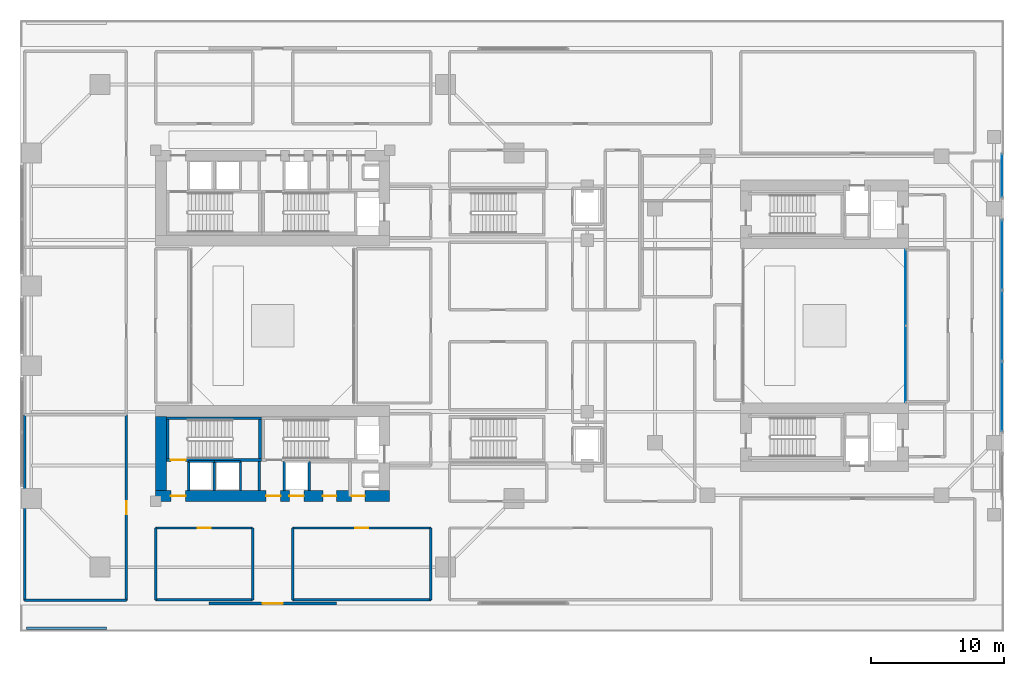
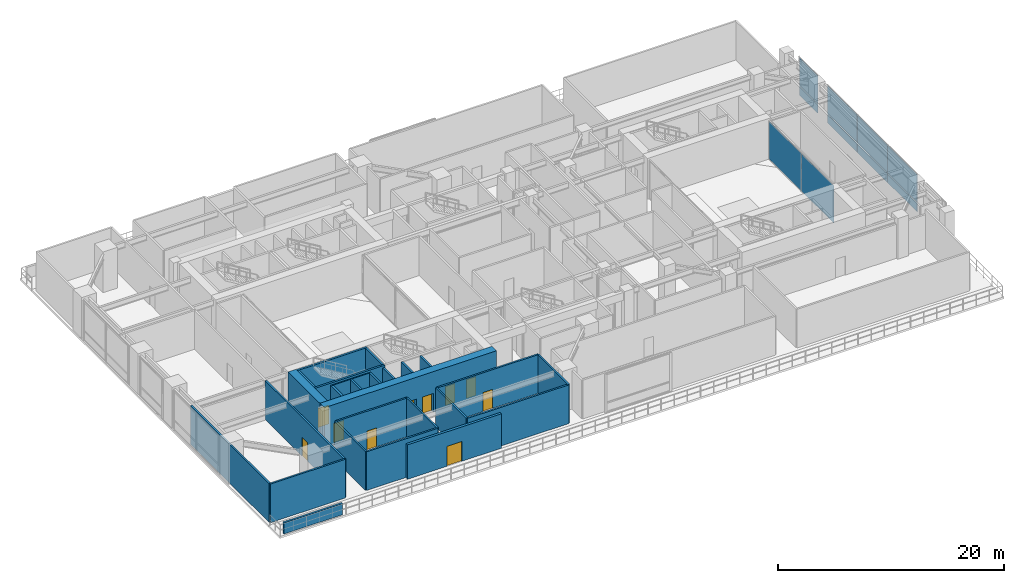
# One storey, part 10 of 19: 27 walls, 10 doors, 10 plates, 10 openings, 3 elements without a shape of their own.
"""IFC4 building model written with IfcOpenShell, lengths in metres."""

import ifcopenshell
import ifcopenshell.guid

model = None  # the IFC model being written
_history = None  # IfcOwnerHistory: only IFC2X3 demands one
_inside = {}  # id of a spatial element -> (the spatial element, [elements in it])
_under = {}  # id of a project, library or spatial element -> (it, [spatial elements below it])
_declared = {}  # id of a project -> (the project, [libraries it declares])
_typed = {}  # id of a type object -> (the type object, [elements of that type])
_made_of = {}  # id of a material, layer set ... -> (it, [elements and type objects made of it])


def new_model(schema):
    """Start an empty IFC model of exactly this schema.

    Asked for "IFC4X3", IfcOpenShell would pick the latest addendum, in which some entities
    have other attributes; the version numbers below select the first issue.
    IFC2X3 requires an IfcOwnerHistory on every rooted entity: one is made here for all.
    """
    global model, _history
    if schema == "IFC4X3":
        model = ifcopenshell.file(schema_version=(4, 3, 0, 0))
    else:
        model = ifcopenshell.file(schema=schema)
    _inside.clear()
    _under.clear()
    _declared.clear()
    _typed.clear()
    _made_of.clear()
    _history = None
    if model.schema == "IFC2X3":
        org = make("IfcOrganization", Name="unknown")
        user = make(
            "IfcPersonAndOrganization",
            ThePerson=make("IfcPerson", FamilyName="unknown"),
            TheOrganization=org,
        )
        app = make(
            "IfcApplication",
            ApplicationDeveloper=org,
            Version="unknown",
            ApplicationFullName="unknown",
            ApplicationIdentifier="unknown",
        )
        _history = make(
            "IfcOwnerHistory",
            OwningUser=user,
            OwningApplication=app,
            ChangeAction="ADDED",
            CreationDate=0,
        )
    return model


def make(cls, **values):
    """One entity of the class cls with the attributes given. An attribute that is None is left unset."""
    return model.create_entity(
        cls, **{name: value for name, value in values.items() if value is not None}
    )


def rooted(cls, **values):
    """An entity with a GlobalId (a new one), such as an element, a storey or a relation."""
    return make(cls, GlobalId=ifcopenshell.guid.new(), OwnerHistory=_history, **values)


def si_unit(unit_type, name, prefix=None):
    """IfcSIUnit, for example si_unit("LENGTHUNIT", "METRE", prefix="MILLI")."""
    return make("IfcSIUnit", UnitType=unit_type, Prefix=prefix, Name=name)


def assignment(units):
    """IfcUnitAssignment: the units of a project."""
    return None if units is None else make("IfcUnitAssignment", Units=units)


def point(xyz):
    """IfcCartesianPoint."""
    return None if xyz is None else make("IfcCartesianPoint", Coordinates=xyz)


def direction(xyz):
    """IfcDirection."""
    return None if xyz is None else make("IfcDirection", DirectionRatios=xyz)


def frame(location, z_axis=None, x_axis=None):
    """IfcAxis2Placement3D, a coordinate frame: its origin and axes. An axis left out is left unset."""
    return make(
        "IfcAxis2Placement3D",
        Location=point(location),
        Axis=direction(z_axis),
        RefDirection=direction(x_axis),
    )


def frame_2d(location, x_axis=None):
    """IfcAxis2Placement2D, a coordinate frame in the plane: its origin and x axis."""
    return make(
        "IfcAxis2Placement2D", Location=point(location), RefDirection=direction(x_axis)
    )


def origin():
    """The frame at (0, 0, 0) with its axes left unset."""
    return frame((0.0, 0.0, 0.0))


def origin_2d():
    """The frame at (0, 0) in the plane with its x axis left unset."""
    return frame_2d((0.0, 0.0))


def place(relative_to, where):
    """IfcLocalPlacement: puts the frame where relative to a parent placement (None: the world)."""
    return make(
        "IfcLocalPlacement", PlacementRelTo=relative_to, RelativePlacement=where
    )


def context(
    kind, dimensions, precision=None, world=None, true_north=None, identifier=None
):
    """IfcGeometricRepresentationContext, for example the 3D "Model" context."""
    return make(
        "IfcGeometricRepresentationContext",
        ContextIdentifier=identifier,
        ContextType=kind,
        CoordinateSpaceDimension=dimensions,
        Precision=precision,
        WorldCoordinateSystem=world,
        TrueNorth=true_north,
    )


def subcontext(parent, identifier, kind, view, scale=None):
    """IfcGeometricRepresentationSubContext, for example "Body" below "Model"."""
    return make(
        "IfcGeometricRepresentationSubContext",
        ContextIdentifier=identifier,
        ContextType=kind,
        ParentContext=parent,
        TargetScale=scale,
        TargetView=view,
    )


def project(units=None, contexts=None):
    """IfcProject with its units and contexts."""
    return rooted(
        "IfcProject",
        Name="project",
        RepresentationContexts=contexts,
        UnitsInContext=assignment(units),
    )


def spatial(cls, under=None, at=None, **own):
    """A site, building, storey or space (cls), placed at a placement, below another one or the project."""
    s = rooted(cls, ObjectPlacement=at, **own)
    if under is not None:
        _under.setdefault(under.id(), (under, []))[1].append(s)
    return s


def profile(cls, at=None, kind="AREA", **sizes):
    """A parametric profile (cls). Its sizes go by their IFC names, for example OverallWidth=200.0."""
    return make(cls, ProfileType=kind, Position=at, **sizes)


def rectangle(**sizes):
    """IfcRectangleProfileDef."""
    return profile("IfcRectangleProfileDef", **sizes)


def extrude(swept, where, along, depth):
    """IfcExtrudedAreaSolid: the profile swept, set in the frame where, extruded along a direction by depth."""
    return make(
        "IfcExtrudedAreaSolid",
        SweptArea=swept,
        Position=where,
        ExtrudedDirection=direction(along),
        Depth=depth,
    )


def shape(context_of_items, identifier, shape_type, items):
    """IfcShapeRepresentation: the items that make up one representation, for example the "Body"."""
    return make(
        "IfcShapeRepresentation",
        ContextOfItems=context_of_items,
        RepresentationIdentifier=identifier,
        RepresentationType=shape_type,
        Items=items,
    )


def source(mapping_origin, context_of_items, identifier, shape_type, items):
    """IfcRepresentationMap: a shape defined once, which mapped items show again and again."""
    return make(
        "IfcRepresentationMap",
        MappingOrigin=mapping_origin,
        MappedRepresentation=shape(context_of_items, identifier, shape_type, items),
    )


def transform(
    local_origin,
    x_axis=None,
    y_axis=None,
    z_axis=None,
    scale=None,
    scale2=None,
    scale3=None,
    uniform=True,
):
    """IfcCartesianTransformationOperator3D, or its non-uniform kind. x_axis, y_axis, z_axis: its Axis1, 2, 3."""
    if uniform:
        return make(
            "IfcCartesianTransformationOperator3D",
            Axis1=direction(x_axis),
            Axis2=direction(y_axis),
            LocalOrigin=point(local_origin),
            Scale=scale,
            Axis3=direction(z_axis),
        )
    return make(
        "IfcCartesianTransformationOperator3DnonUniform",
        Axis1=direction(x_axis),
        Axis2=direction(y_axis),
        LocalOrigin=point(local_origin),
        Scale=scale,
        Axis3=direction(z_axis),
        Scale2=scale2,
        Scale3=scale3,
    )


def mapped(mapping_source, mapping_target):
    """IfcMappedItem: shows the shape of a source again, moved by a transform."""
    return make(
        "IfcMappedItem", MappingSource=mapping_source, MappingTarget=mapping_target
    )


def material(Name=None, Category=None):
    """IfcMaterial."""
    return make("IfcMaterial", Name=Name, Category=Category)


def layer(
    of_material, thickness, ventilated=None, Name=None, Category=None, Priority=None
):
    """IfcMaterialLayer: one layer of a wall or slab, of a material (None: an air gap)."""
    return make(
        "IfcMaterialLayer",
        Material=of_material,
        LayerThickness=thickness,
        IsVentilated=ventilated,
        Name=Name,
        Category=Category,
        Priority=Priority,
    )


def layer_set(layers, Name=None):
    """IfcMaterialLayerSet."""
    return make("IfcMaterialLayerSet", MaterialLayers=layers, LayerSetName=Name)


def made_of(thing, what):
    """Note that an element or type object is made of a material, layer set ...; save() writes the relation."""
    if what is not None:
        _made_of.setdefault(what.id(), (what, []))[1].append(thing)
    return thing


def type_object(cls, material=None, **own):
    """A type object (cls), such as IfcWallType, which elements share."""
    return made_of(rooted(cls, **own), material)


def element(
    cls,
    number,
    at=None,
    inside=None,
    cuts=None,
    type_object=None,
    material=None,
    context=None,
    identifier="Body",
    shape_type=None,
    held_by="IfcProductDefinitionShape",
    body=None,
    shapes=None,
    **own,
):
    """One element of the class cls, such as IfcWall. Its Tag is "e" and its number.

    at: its placement. inside: the storey or other place that contains it. cuts: it is an
    opening in that element (IfcRelVoidsElement). A single representation is given by context,
    identifier, shape_type and body (its items); several are given by shapes. held_by: the class
    of the entity that holds the representations. save() writes the other relations.
    """
    e = rooted(cls, Tag="e%d" % number, ObjectPlacement=at, **own)
    if body is not None:
        shapes = [shape(context, identifier, shape_type, body)]
    if shapes is not None:
        e.Representation = make(held_by, Representations=shapes)
    if inside is not None:
        _inside.setdefault(inside.id(), (inside, []))[1].append(e)
    if cuts is not None:
        rooted(
            "IfcRelVoidsElement", RelatingBuildingElement=cuts, RelatedOpeningElement=e
        )
    if type_object is not None:
        _typed.setdefault(type_object.id(), (type_object, []))[1].append(e)
    return made_of(e, material)


def fill(opening, filler):
    """IfcRelFillsElement: the door or window that sits in an opening."""
    return rooted(
        "IfcRelFillsElement",
        RelatingOpeningElement=opening,
        RelatedBuildingElement=filler,
    )


def aggregate(whole, parts):
    """IfcRelAggregates: a whole, such as a stair, and the parts it consists of."""
    return rooted("IfcRelAggregates", RelatingObject=whole, RelatedObjects=parts)


def save(model, path):
    """Write the relations noted so far, then the file.

    IfcRelAggregates (storeys below a building ...), IfcRelContainedInSpatialStructure (elements
    in a storey), IfcRelDefinesByType, IfcRelAssociatesMaterial and IfcRelDeclares: one each for
    every whole, place, type object, material and project.
    """
    for whole, parts in _under.values():
        aggregate(whole, parts)
    for where, things in _inside.values():
        rooted(
            "IfcRelContainedInSpatialStructure",
            RelatedElements=things,
            RelatingStructure=where,
        )
    for kind, things in _typed.values():
        rooted("IfcRelDefinesByType", RelatedObjects=things, RelatingType=kind)
    for what, things in _made_of.values():
        rooted("IfcRelAssociatesMaterial", RelatedObjects=things, RelatingMaterial=what)
    for by, libraries in _declared.values():
        rooted("IfcRelDeclares", RelatingContext=by, RelatedDefinitions=libraries)
    model.write(path)


model = new_model("IFC4")

# Units and contexts
model_context = context("Model", 3, precision=1e-05, world=origin(), true_north=direction((0.0, 1.0)))
body_context = subcontext(model_context, "Body", "Model", "MODEL_VIEW")
ifc_project = project(units=[si_unit("LENGTHUNIT", "METRE"), si_unit("AREAUNIT", "SQUARE_METRE"), si_unit("VOLUMEUNIT", "CUBIC_METRE"), si_unit("PLANEANGLEUNIT", "RADIAN"), si_unit("MASSUNIT", "GRAM", prefix="KILO"), si_unit("THERMODYNAMICTEMPERATUREUNIT", "KELVIN"), si_unit("POWERUNIT", "WATT")], contexts=[model_context])

# Site, building, storey
site_placement = place(None, origin())
site = spatial("IfcSite", under=ifc_project, at=site_placement, CompositionType="ELEMENT")
building_placement = place(site_placement, origin())
building = spatial("IfcBuilding", under=site, at=building_placement, Name="Qiaomeng Ring Towers", CompositionType="ELEMENT")
storey_placement = place(building_placement, frame((0.0, 0.0, 5.0)))
storey = spatial("IfcBuildingStorey", under=building, at=storey_placement, Name="L01", CompositionType="ELEMENT", Elevation=5.0)

# Curtain wall, plates
ifc_material_1 = material(Name="Fluorocarbon dark-grey aluminium", Category="aluminium")
ifc_layer_1 = layer(ifc_material_1, 0.179931640625, Name="Fluorocarbon dark-grey aluminium")
ifc_layer_set_1 = layer_set([ifc_layer_1], Name="Fluorocarbon dark-grey aluminium")
curtain_wall_type_1 = type_object("IfcCurtainWallType", Name="ARC-CW-1", PredefinedType="NOTDEFINED", material=ifc_layer_set_1)
curtain_wall_1_placement = place(storey_placement, origin())
curtain_wall_1 = element("IfcCurtainWall", 1, at=curtain_wall_1_placement, inside=storey, type_object=curtain_wall_type_1, Name="L01 Curtain Wall CW1", PredefinedType="NOTDEFINED")
ifc_material_2 = material(Name="Low-E pale-green laminated safety glass", Category="glass")
ifc_layer_2 = layer(ifc_material_2, 0.031982421875, Name="Low-E pale-green laminated safety glass")
ifc_layer_set_2 = layer_set([ifc_layer_2], Name="Low-E pale-green laminated safety glass")
plate_type_1 = type_object("IfcPlateType", Name="ARC-CWP-GREEN", PredefinedType="CURTAIN_PANEL", material=ifc_layer_set_2)
shared_shape_1 = source(origin(), body_context, "Body", "SweptSolid", [
    extrude(rectangle(XDim=5.219970703125, YDim=0.031982421875, at=origin_2d()), origin(), (0.0, 0.0, 1.0), 0.945068359375),
])
plate_1_placement = place(storey_placement, frame((73.85009765625, 17.679931640625, 0.06982421875), z_axis=(0.0, 0.0, 1.0), x_axis=(0.0, 1.0, 0.0)))
plate_1 = element("IfcPlate", 2, at=plate_1_placement, type_object=plate_type_1, Name="CW1 panel 1.1", PredefinedType="CURTAIN_PANEL", context=body_context, shape_type="MappedRepresentation", body=[
    mapped(shared_shape_1, transform((0.0, 0.0, 0.0), x_axis=(1.0, 0.0, 0.0), y_axis=(0.0, 1.0, 0.0), z_axis=(0.0, 0.0, 1.0), scale=1.0)),
])
plate_2_placement = place(storey_placement, frame((73.85009765625, 28.320068359375, 0.06982421875), z_axis=(0.0, 0.0, 1.0), x_axis=(0.0, 1.0, 0.0)))
plate_2 = element("IfcPlate", 3, at=plate_2_placement, type_object=plate_type_1, Name="CW1 panel 3.1", PredefinedType="CURTAIN_PANEL", context=body_context, shape_type="MappedRepresentation", body=[
    mapped(shared_shape_1, transform((0.0, 0.0, 0.0), x_axis=(1.0, 0.0, 0.0), y_axis=(0.0, 1.0, 0.0), z_axis=(0.0, 0.0, 1.0), scale=1.0)),
])
shared_shape_2 = source(origin(), body_context, "Body", "SweptSolid", [
    extrude(rectangle(XDim=5.260009765625, YDim=0.031982421875, at=origin_2d()), origin(), (0.0, 0.0, 1.0), 0.945068359375),
])
plate_3_placement = place(storey_placement, frame((73.85009765625, 23.0, 0.06982421875), z_axis=(0.0, 0.0, 1.0), x_axis=(0.0, 1.0, 0.0)))
plate_3 = element("IfcPlate", 4, at=plate_3_placement, type_object=plate_type_1, Name="CW1 panel 2.1", PredefinedType="CURTAIN_PANEL", context=body_context, shape_type="MappedRepresentation", body=[
    mapped(shared_shape_2, transform((0.0, 0.0, 0.0), x_axis=(1.0, 0.0, 0.0), y_axis=(0.0, 1.0, 0.0), z_axis=(0.0, 0.0, 1.0), scale=1.0)),
])

curtain_wall_2_placement = place(storey_placement, origin())
curtain_wall_2 = element("IfcCurtainWall", 5, at=curtain_wall_2_placement, inside=storey, type_object=curtain_wall_type_1, Name="L01 Curtain Wall CW1", PredefinedType="NOTDEFINED")
shared_shape_3 = source(origin(), body_context, "Body", "SweptSolid", [
    extrude(rectangle(XDim=3.25, YDim=0.031982421875, at=origin_2d()), origin(), (0.0, 0.0, 1.0), 0.945068359375),
])
plate_4_placement = place(storey_placement, frame((73.85009765625, 34.294921875, 0.06982421875), z_axis=(0.0, 0.0, 1.0), x_axis=(0.0, 1.0, 0.0)))
plate_4 = element("IfcPlate", 6, at=plate_4_placement, type_object=plate_type_1, Name="CW1 panel 1.1", PredefinedType="CURTAIN_PANEL", context=body_context, shape_type="MappedRepresentation", body=[
    mapped(shared_shape_3, transform((0.0, 0.0, 0.0), x_axis=(1.0, 0.0, 0.0), y_axis=(0.0, 1.0, 0.0), z_axis=(0.0, 0.0, 1.0), scale=1.0)),
])
shared_shape_4 = source(origin(), body_context, "Body", "SweptSolid", [
    extrude(rectangle(XDim=3.25, YDim=0.031982421875, at=origin_2d()), origin(), (0.0, 0.0, 1.0), 3.02490234375),
])
plate_5_placement = place(storey_placement, frame((73.85009765625, 34.294921875, 1.0849609375), z_axis=(0.0, 0.0, 1.0), x_axis=(0.0, 1.0, 0.0)))
plate_5 = element("IfcPlate", 7, at=plate_5_placement, type_object=plate_type_1, Name="CW1 panel 1.2", PredefinedType="CURTAIN_PANEL", context=body_context, shape_type="MappedRepresentation", body=[
    mapped(shared_shape_4, transform((0.0, 0.0, 0.0), x_axis=(1.0, 0.0, 0.0), y_axis=(0.0, 1.0, 0.0), z_axis=(0.0, 0.0, 1.0), scale=1.0)),
])
aggregate(curtain_wall_2, [plate_4, plate_5])

# Plate
shared_shape_5 = source(origin(), body_context, "Body", "SweptSolid", [
    extrude(rectangle(XDim=5.219970703125, YDim=0.031982421875, at=origin_2d()), origin(), (0.0, 0.0, 1.0), 3.02490234375),
])
plate_6_placement = place(storey_placement, frame((73.85009765625, 17.679931640625, 1.0849609375), z_axis=(0.0, 0.0, 1.0), x_axis=(0.0, 1.0, 0.0)))
plate_6 = element("IfcPlate", 8, at=plate_6_placement, type_object=plate_type_1, Name="CW1 panel 1.2", PredefinedType="CURTAIN_PANEL", context=body_context, shape_type="MappedRepresentation", body=[
    mapped(shared_shape_5, transform((0.0, 0.0, 0.0), x_axis=(1.0, 0.0, 0.0), y_axis=(0.0, 1.0, 0.0), z_axis=(0.0, 0.0, 1.0), scale=1.0)),
])

plate_7_placement = place(storey_placement, frame((73.85009765625, 28.320068359375, 1.0849609375), z_axis=(0.0, 0.0, 1.0), x_axis=(0.0, 1.0, 0.0)))
plate_7 = element("IfcPlate", 9, at=plate_7_placement, type_object=plate_type_1, Name="CW1 panel 3.2", PredefinedType="CURTAIN_PANEL", context=body_context, shape_type="MappedRepresentation", body=[
    mapped(shared_shape_5, transform((0.0, 0.0, 0.0), x_axis=(1.0, 0.0, 0.0), y_axis=(0.0, 1.0, 0.0), z_axis=(0.0, 0.0, 1.0), scale=1.0)),
])

shared_shape_6 = source(origin(), body_context, "Body", "SweptSolid", [
    extrude(rectangle(XDim=5.260009765625, YDim=0.031982421875, at=origin_2d()), origin(), (0.0, 0.0, 1.0), 3.02490234375),
])
plate_8_placement = place(storey_placement, frame((73.85009765625, 23.0, 1.0849609375), z_axis=(0.0, 0.0, 1.0), x_axis=(0.0, 1.0, 0.0)))
plate_8 = element("IfcPlate", 10, at=plate_8_placement, type_object=plate_type_1, Name="CW1 panel 2.2", PredefinedType="CURTAIN_PANEL", context=body_context, shape_type="MappedRepresentation", body=[
    mapped(shared_shape_6, transform((0.0, 0.0, 0.0), x_axis=(1.0, 0.0, 0.0), y_axis=(0.0, 1.0, 0.0), z_axis=(0.0, 0.0, 1.0), scale=1.0)),
])

aggregate(curtain_wall_1, [plate_1, plate_6, plate_3, plate_8, plate_2, plate_7])

# Curtain wall, plates
ifc_layer_3 = layer(ifc_material_1, 0.139892578125, Name="Fluorocarbon dark-grey aluminium")
ifc_layer_set_3 = layer_set([ifc_layer_3], Name="Fluorocarbon dark-grey aluminium")
curtain_wall_type_2 = type_object("IfcCurtainWallType", Name="ARC-CW-4", PredefinedType="NOTDEFINED", material=ifc_layer_set_3)
curtain_wall_3_placement = place(storey_placement, origin())
curtain_wall_3 = element("IfcCurtainWall", 11, at=curtain_wall_3_placement, inside=storey, type_object=curtain_wall_type_2, Name="L01 Curtain Wall CW4", PredefinedType="NOTDEFINED")
ifc_material_3 = material(Name="Low-E dark-grey laminated double glazing", Category="glass")
ifc_layer_4 = layer(ifc_material_3, 0.028076171875, Name="Low-E dark-grey laminated double glazing")
ifc_layer_set_4 = layer_set([ifc_layer_4], Name="Low-E dark-grey laminated double glazing")
plate_type_2 = type_object("IfcPlateType", Name="ARC-CWP-DARK", PredefinedType="CURTAIN_PANEL", material=ifc_layer_set_4)
shared_shape_7 = source(origin(), body_context, "Body", "SweptSolid", [
    extrude(rectangle(XDim=5.702392578125, YDim=0.028076171875, at=origin_2d()), origin(), (0.0, 0.0, 1.0), 4.050048828125),
])
plate_9_placement = place(storey_placement, frame((66.60009765625, 20.1162109375, 0.06494140625), z_axis=(0.0, 0.0, 1.0), x_axis=(0.0, 1.0, 0.0)))
plate_9 = element("IfcPlate", 12, at=plate_9_placement, type_object=plate_type_2, Name="CW4 panel 1.1", PredefinedType="CURTAIN_PANEL", context=body_context, shape_type="MappedRepresentation", body=[
    mapped(shared_shape_7, transform((0.0, 0.0, 0.0), x_axis=(1.0, 0.0, 0.0), y_axis=(0.0, 1.0, 0.0), z_axis=(0.0, 0.0, 1.0), scale=1.0)),
])
plate_10_placement = place(storey_placement, frame((66.60009765625, 25.8837890625, 0.06494140625), z_axis=(0.0, 0.0, 1.0), x_axis=(0.0, 1.0, 0.0)))
plate_10 = element("IfcPlate", 13, at=plate_10_placement, type_object=plate_type_2, Name="CW4 panel 2.1", PredefinedType="CURTAIN_PANEL", context=body_context, shape_type="MappedRepresentation", body=[
    mapped(shared_shape_7, transform((0.0, 0.0, 0.0), x_axis=(1.0, 0.0, 0.0), y_axis=(0.0, 1.0, 0.0), z_axis=(0.0, 0.0, 1.0), scale=1.0)),
])
aggregate(curtain_wall_3, [plate_9, plate_10])

# Wall, opening, door
ifc_material_4 = material(Name="Precast concrete C40", Category="concrete")
ifc_layer_5 = layer(ifc_material_4, 0.25, Name="Precast concrete C40")
ifc_layer_set_5 = layer_set([ifc_layer_5], Name="Precast concrete C40")
wall_type_1 = type_object("IfcWallType", Name="ARC-WL-EW1", PredefinedType="STANDARD", material=ifc_layer_set_5)
wall_1_placement = place(storey_placement, frame((14.199951171875, 2.125, 0.0), z_axis=(0.0, 0.0, 1.0), x_axis=(1.0, 0.0, 0.0)))
wall_1 = element("IfcWall", 14, at=wall_1_placement, inside=storey, type_object=wall_type_1, Name="L01 South Podium Wall", PredefinedType="STANDARD", context=body_context, shape_type="SweptSolid", body=[
    extrude(rectangle(XDim=9.60009765625, YDim=0.25, at=frame_2d((4.800048828125, 0.0))), origin(), (0.0, 0.0, 1.0), 3.719970703125),
])
opening_1_placement = place(wall_1_placement, frame((4.050048828125, 0.0, 0.0)))
opening_1 = element("IfcOpeningElement", 15, at=opening_1_placement, cuts=wall_1, Name="Opening BD2", PredefinedType="OPENING", context=body_context, shape_type="SweptSolid", body=[
    extrude(rectangle(XDim=1.5, YDim=2.14990234375, at=frame_2d((0.75, 1.074951171875))), frame((0.0, 0.135009765625, 0.0), z_axis=(0.0, -1.0, 0.0), x_axis=(1.0, 0.0, 0.0)), (0.0, 0.0, 1.0), 0.27001953125),
])
door_type_1 = type_object("IfcDoorType", Name="ARC-DR-BD2", OperationType="NOTDEFINED", PredefinedType="DOOR", material=ifc_material_2)
shared_shape_8 = source(origin(), body_context, "Body", "SweptSolid", [
    extrude(rectangle(XDim=1.5, YDim=2.14990234375, at=frame_2d((0.75, 1.074951171875))), frame((0.0, 0.02490234375, 0.0), z_axis=(0.0, -1.0, 0.0), x_axis=(1.0, 0.0, 0.0)), (0.0, 0.0, 1.0), 0.050048828125),
])
door_1_placement = place(opening_1_placement, frame((1.5, 0.0, 0.0), z_axis=(0.0, 0.0, 1.0), x_axis=(-1.0, 0.0, 0.0)))
door_1 = element("IfcDoor", 16, at=door_1_placement, inside=storey, type_object=door_type_1, Name="L01 South Podium Terrace Door", OperationType="DOUBLE_DOOR_SINGLE_SWING", OverallHeight=2.14990234375, OverallWidth=1.5, PredefinedType="DOOR", context=body_context, shape_type="MappedRepresentation", body=[
    mapped(shared_shape_8, transform((0.0, 0.0, 0.0), x_axis=(1.0, 0.0, 0.0), y_axis=(0.0, 1.0, 0.0), z_axis=(0.0, 0.0, 1.0), scale=1.0)),
])
fill(opening_1, door_1)

# Walls
ifc_layer_6 = layer(ifc_material_4, 0.199951171875, Name="Precast concrete C40")
ifc_layer_set_6 = layer_set([ifc_layer_6], Name="Precast concrete C40")
wall_type_2 = type_object("IfcWallType", Name="ARC-WL-PP1", PredefinedType="PARAPET", material=ifc_layer_set_6)
wall_2_placement = place(storey_placement, frame((0.5, 0.25, 0.0), z_axis=(0.0, 0.0, 1.0), x_axis=(1.0, 0.0, 0.0)))
element("IfcWall", 17, at=wall_2_placement, inside=storey, type_object=wall_type_2, Name="L01 South Terrace Parapet PP1", PredefinedType="PARAPET", context=body_context, shape_type="SweptSolid", body=[
    extrude(rectangle(XDim=6.0, YDim=0.199951171875, at=frame_2d((3.0, 0.0))), origin(), (0.0, 0.0, 1.0), 1.199951171875),
])
ifc_material_5 = material(Name="Autoclaved aerated concrete block", Category="concrete")
ifc_layer_7 = layer(ifc_material_5, 0.199951171875, Name="Autoclaved aerated concrete block")
ifc_layer_set_7 = layer_set([ifc_layer_7], Name="Autoclaved aerated concrete block")
wall_type_3 = type_object("IfcWallType", Name="ARC-WL-PW1", PredefinedType="PARTITIONING", material=ifc_layer_set_7)
for number, where, z_axis, x_axis, name in (
    (18, (12.679931640625, 10.60009765625, 0.0), (0.0, 0.0, 1.0), (0.0, 1.0, 0.0), "L01 Interior Wall PW1"),
    (19, (18.0, 10.60009765625, 0.0), (0.0, 0.0, 1.0), (0.0, 1.0, 0.0), "L01 Interior Wall PW1"),
    (20, (19.8798828125, 10.60009765625, 0.0), (0.0, 0.0, 1.0), (0.0, 1.0, 0.0), "L01 Interior Wall PW1"),
):
    element("IfcWall", number, at=place(storey_placement, frame(where, z_axis=z_axis, x_axis=x_axis)), inside=storey, type_object=wall_type_3, Name=name, PredefinedType="PARTITIONING", context=body_context, shape_type="SweptSolid", body=[
        extrude(rectangle(XDim=2.2099609375, YDim=0.199951171875, at=frame_2d((1.10498046875, 0.0))), origin(), (0.0, 0.0, 1.0), 4.179931640625),
    ])
wall_3_placement = place(storey_placement, frame((21.75, 10.60009765625, 0.0), z_axis=(0.0, 0.0, 1.0), x_axis=(0.0, 1.0, 0.0)))
element("IfcWall", 21, at=wall_3_placement, inside=storey, type_object=wall_type_3, Name="L01 Interior Wall PW1", PredefinedType="PARTITIONING", context=body_context, shape_type="SweptSolid", body=[
    extrude(rectangle(XDim=2.199951171875, YDim=0.199951171875, at=frame_2d((1.10009765625, 0.0))), origin(), (0.0, 0.0, 1.0), 4.179931640625),
])
ifc_layer_8 = layer(ifc_material_5, 0.179931640625, Name="Autoclaved aerated concrete block")
ifc_layer_set_8 = layer_set([ifc_layer_8], Name="Autoclaved aerated concrete block")
wall_type_4 = type_object("IfcWallType", Name="ARC-WL-PW2", PredefinedType="PARTITIONING", material=ifc_layer_set_8)
wall_4_placement = place(storey_placement, frame((0.35009765625, 2.35009765625, 0.0), z_axis=(0.0, 0.0, 1.0), x_axis=(1.0, 0.0, 0.0)))
element("IfcWall", 22, at=wall_4_placement, inside=storey, type_object=wall_type_4, Name="L01 Interior Wall PW2", PredefinedType="PARTITIONING", context=body_context, shape_type="SweptSolid", body=[
    extrude(rectangle(XDim=7.64990234375, YDim=0.179931640625, at=frame_2d((3.824951171875, 0.0))), origin(), (0.0, 0.0, 1.0), 4.179931640625),
])
wall_5_placement = place(storey_placement, frame((0.35009765625, 2.35009765625, 0.0), z_axis=(0.0, 0.0, 1.0), x_axis=(0.0, 1.0, 0.0)))
element("IfcWall", 23, at=wall_5_placement, inside=storey, type_object=wall_type_4, Name="L01 Interior Wall PW2", PredefinedType="PARTITIONING", context=body_context, shape_type="SweptSolid", body=[
    extrude(rectangle(XDim=13.949951171875, YDim=0.179931640625, at=frame_2d((6.97509765625, 0.0))), origin(), (0.0, 0.0, 1.0), 4.179931640625),
])

# Wall, opening, door
wall_6_placement = place(storey_placement, frame((8.0, 2.35009765625, 0.0), z_axis=(0.0, 0.0, 1.0), x_axis=(0.0, 1.0, 0.0)))
wall_6 = element("IfcWall", 24, at=wall_6_placement, inside=storey, type_object=wall_type_4, Name="L01 Interior Wall PW2", PredefinedType="PARTITIONING", context=body_context, shape_type="SweptSolid", body=[
    extrude(rectangle(XDim=13.949951171875, YDim=0.179931640625, at=frame_2d((6.97509765625, 0.0))), origin(), (0.0, 0.0, 1.0), 4.179931640625),
])
opening_2_placement = place(wall_6_placement, frame((6.47509765625, 0.0, 0.0)))
opening_2 = element("IfcOpeningElement", 25, at=opening_2_placement, cuts=wall_6, Name="Opening FD4", PredefinedType="OPENING", context=body_context, shape_type="SweptSolid", body=[
    extrude(rectangle(XDim=1.0, YDim=2.050048828125, at=frame_2d((0.5, 1.02490234375))), frame((0.0, 0.099853515625, 0.0), z_axis=(0.0, -1.0, 0.0), x_axis=(1.0, 0.0, 0.0)), (0.0, 0.0, 1.0), 0.199951171875),
])
ifc_material_6 = material(Name="Engineered fire-rated oak timber", Category="wood")
door_type_2 = type_object("IfcDoorType", Name="ARC-DR-FD4", OperationType="NOTDEFINED", PredefinedType="DOOR", material=ifc_material_6)
shared_shape_9 = source(origin(), body_context, "Body", "SweptSolid", [
    extrude(rectangle(XDim=1.0, YDim=2.050048828125, at=frame_2d((0.5, 1.02490234375))), frame((0.0, 0.02490234375, 0.0), z_axis=(0.0, -1.0, 0.0), x_axis=(1.0, 0.0, 0.0)), (0.0, 0.0, 1.0), 0.050048828125),
])
door_2_placement = place(opening_2_placement, origin())
door_2 = element("IfcDoor", 26, at=door_2_placement, inside=storey, type_object=door_type_2, Name="L01 L01 General Practice Clinic Door", OperationType="SINGLE_SWING_RIGHT", OverallHeight=2.050048828125, OverallWidth=1.0, PredefinedType="DOOR", context=body_context, shape_type="MappedRepresentation", body=[
    mapped(shared_shape_9, transform((0.0, 0.0, 0.0), x_axis=(1.0, 0.0, 0.0), y_axis=(0.0, 1.0, 0.0), z_axis=(0.0, 0.0, 1.0), scale=1.0)),
])
fill(opening_2, door_2)

# Wall
wall_7_placement = place(storey_placement, frame((10.199951171875, 2.39990234375, 0.0), z_axis=(0.0, 0.0, 1.0), x_axis=(1.0, 0.0, 0.0)))
element("IfcWall", 27, at=wall_7_placement, inside=storey, type_object=wall_type_4, Name="L01 Interior Wall PW2", PredefinedType="PARTITIONING", context=body_context, shape_type="SweptSolid", body=[
    extrude(rectangle(XDim=7.300048828125, YDim=0.179931640625, at=frame_2d((3.64990234375, 0.0))), origin(), (0.0, 0.0, 1.0), 4.179931640625),
])

# Wall, opening, door
wall_8_placement = place(storey_placement, frame((10.199951171875, 7.800048828125, 0.0), z_axis=(0.0, 0.0, 1.0), x_axis=(1.0, 0.0, 0.0)))
wall_8 = element("IfcWall", 28, at=wall_8_placement, inside=storey, type_object=wall_type_4, Name="L01 Interior Wall PW2", PredefinedType="PARTITIONING", context=body_context, shape_type="SweptSolid", body=[
    extrude(rectangle(XDim=7.300048828125, YDim=0.179931640625, at=frame_2d((3.64990234375, 0.0))), origin(), (0.0, 0.0, 1.0), 4.179931640625),
])
opening_3_placement = place(wall_8_placement, frame((3.14990234375, 0.0, 0.0)))
opening_3 = element("IfcOpeningElement", 29, at=opening_3_placement, cuts=wall_8, Name="Opening FD4", PredefinedType="OPENING", context=body_context, shape_type="SweptSolid", body=[
    extrude(rectangle(XDim=1.0, YDim=2.050048828125, at=frame_2d((0.5, 1.02490234375))), frame((0.0, 0.099853515625, 0.0), z_axis=(0.0, -1.0, 0.0), x_axis=(1.0, 0.0, 0.0)), (0.0, 0.0, 1.0), 0.199951171875),
])
door_3_placement = place(opening_3_placement, origin())
door_3 = element("IfcDoor", 30, at=door_3_placement, inside=storey, type_object=door_type_2, Name="L01 L01 Ophthalmology Clinic Door", OperationType="SINGLE_SWING_RIGHT", OverallHeight=2.050048828125, OverallWidth=1.0, PredefinedType="DOOR", context=body_context, shape_type="MappedRepresentation", body=[
    mapped(shared_shape_9, transform((0.0, 0.0, 0.0), x_axis=(1.0, 0.0, 0.0), y_axis=(0.0, 1.0, 0.0), z_axis=(0.0, 0.0, 1.0), scale=1.0)),
])
fill(opening_3, door_3)

# Walls
for number, where, z_axis, x_axis, name in (
    (31, (10.199951171875, 2.39990234375, 0.0), (0.0, 0.0, 1.0), (0.0, 1.0, 0.0), "L01 Interior Wall PW2"),
    (32, (17.5, 2.39990234375, 0.0), (0.0, 0.0, 1.0), (0.0, 1.0, 0.0), "L01 Interior Wall PW2"),
):
    element("IfcWall", number, at=place(storey_placement, frame(where, z_axis=z_axis, x_axis=x_axis)), inside=storey, type_object=wall_type_4, Name=name, PredefinedType="PARTITIONING", context=body_context, shape_type="SweptSolid", body=[
        extrude(rectangle(XDim=5.400146484375, YDim=0.179931640625, at=frame_2d((2.7001953125, 0.0))), origin(), (0.0, 0.0, 1.0), 4.179931640625),
    ])
wall_9_placement = place(storey_placement, frame((20.5, 2.39990234375, 0.0), z_axis=(0.0, 0.0, 1.0), x_axis=(1.0, 0.0, 0.0)))
element("IfcWall", 33, at=wall_9_placement, inside=storey, type_object=wall_type_4, Name="L01 Interior Wall PW2", PredefinedType="PARTITIONING", context=body_context, shape_type="SweptSolid", body=[
    extrude(rectangle(XDim=10.39990234375, YDim=0.179931640625, at=frame_2d((5.199951171875, 0.0))), origin(), (0.0, 0.0, 1.0), 4.179931640625),
])

# Wall, opening, door
wall_10_placement = place(storey_placement, frame((20.5, 7.800048828125, 0.0), z_axis=(0.0, 0.0, 1.0), x_axis=(1.0, 0.0, 0.0)))
wall_10 = element("IfcWall", 34, at=wall_10_placement, inside=storey, type_object=wall_type_4, Name="L01 Interior Wall PW2", PredefinedType="PARTITIONING", context=body_context, shape_type="SweptSolid", body=[
    extrude(rectangle(XDim=10.39990234375, YDim=0.179931640625, at=frame_2d((5.199951171875, 0.0))), origin(), (0.0, 0.0, 1.0), 4.179931640625),
])
opening_4_placement = place(wall_10_placement, frame((4.699951171875, 0.0, 0.0)))
opening_4 = element("IfcOpeningElement", 35, at=opening_4_placement, cuts=wall_10, Name="Opening FD4", PredefinedType="OPENING", context=body_context, shape_type="SweptSolid", body=[
    extrude(rectangle(XDim=1.0, YDim=2.050048828125, at=frame_2d((0.5, 1.02490234375))), frame((0.0, 0.099853515625, 0.0), z_axis=(0.0, -1.0, 0.0), x_axis=(1.0, 0.0, 0.0)), (0.0, 0.0, 1.0), 0.199951171875),
])
door_4_placement = place(opening_4_placement, origin())
door_4 = element("IfcDoor", 36, at=door_4_placement, inside=storey, type_object=door_type_2, Name="L01 L01 Vaccination Clinic Door", OperationType="SINGLE_SWING_LEFT", OverallHeight=2.050048828125, OverallWidth=1.0, PredefinedType="DOOR", context=body_context, shape_type="MappedRepresentation", body=[
    mapped(shared_shape_9, transform((0.0, 0.0, 0.0), x_axis=(1.0, 0.0, 0.0), y_axis=(0.0, 1.0, 0.0), z_axis=(0.0, 0.0, 1.0), scale=1.0)),
])
fill(opening_4, door_4)

# Walls
for number, where, z_axis, x_axis, name in (
    (37, (20.5, 2.39990234375, 0.0), (0.0, 0.0, 1.0), (0.0, 1.0, 0.0), "L01 Interior Wall PW2"),
    (38, (30.89990234375, 2.39990234375, 0.0), (0.0, 0.0, 1.0), (0.0, 1.0, 0.0), "L01 Interior Wall PW2"),
):
    element("IfcWall", number, at=place(storey_placement, frame(where, z_axis=z_axis, x_axis=x_axis)), inside=storey, type_object=wall_type_4, Name=name, PredefinedType="PARTITIONING", context=body_context, shape_type="SweptSolid", body=[
        extrude(rectangle(XDim=5.400146484375, YDim=0.179931640625, at=frame_2d((2.7001953125, 0.0))), origin(), (0.0, 0.0, 1.0), 4.179931640625),
    ])
ifc_material_7 = material(Name="Concrete C40", Category="concrete")
ifc_layer_9 = layer(ifc_material_7, 0.199951171875, Name="Concrete C40")
ifc_layer_set_9 = layer_set([ifc_layer_9], Name="Concrete C40")
wall_type_5 = type_object("IfcWallType", Name="STR-WL-STSHAFT", PredefinedType="SHEAR", material=ifc_layer_set_9)
wall_11_placement = place(storey_placement, frame((12.679931640625, 12.800048828125, 0.0), z_axis=(0.0, 0.0, 1.0), x_axis=(1.0, 0.0, 0.0)))
element("IfcWall", 39, at=wall_11_placement, inside=storey, type_object=wall_type_5, Name="L01 Lift LP6 Shaft Back Wall", PredefinedType="SHEAR", context=body_context, shape_type="SweptSolid", body=[
    extrude(rectangle(XDim=1.940185546875, YDim=0.179931640625, at=frame_2d((0.97021484375, 0.0))), origin(), (0.0, 0.0, 1.0), 4.179931640625),
])
wall_12_placement = place(storey_placement, frame((14.6201171875, 10.60009765625, 0.0), z_axis=(0.0, 0.0, 1.0), x_axis=(0.0, 1.0, 0.0)))
element("IfcWall", 40, at=wall_12_placement, inside=storey, type_object=wall_type_5, Name="L01 Lift LP6-LP4 Shaft Divider Wall", PredefinedType="SHEAR", context=body_context, shape_type="SweptSolid", body=[
    extrude(rectangle(XDim=2.199951171875, YDim=0.179931640625, at=frame_2d((1.10009765625, 0.0))), origin(), (0.0, 0.0, 1.0), 4.179931640625),
])
wall_13_placement = place(storey_placement, frame((14.6201171875, 12.800048828125, 0.0), z_axis=(0.0, 0.0, 1.0), x_axis=(1.0, 0.0, 0.0)))
element("IfcWall", 41, at=wall_13_placement, inside=storey, type_object=wall_type_5, Name="L01 Lift LP4 Shaft Back Wall", PredefinedType="SHEAR", context=body_context, shape_type="SweptSolid", body=[
    extrude(rectangle(XDim=1.9599609375, YDim=0.179931640625, at=frame_2d((0.97998046875, 0.0))), origin(), (0.0, 0.0, 1.0), 4.179931640625),
])
wall_14_placement = place(storey_placement, frame((16.580078125, 10.60009765625, 0.0), z_axis=(0.0, 0.0, 1.0), x_axis=(0.0, 1.0, 0.0)))
element("IfcWall", 42, at=wall_14_placement, inside=storey, type_object=wall_type_5, Name="L01 Lift LP4 East Shaft Wall", PredefinedType="SHEAR", context=body_context, shape_type="SweptSolid", body=[
    extrude(rectangle(XDim=2.199951171875, YDim=0.179931640625, at=frame_2d((1.10009765625, 0.0))), origin(), (0.0, 0.0, 1.0), 4.179931640625),
])

# Wall, opening, door
wall_15_placement = place(storey_placement, frame((11.0, 12.909912109375, 0.0), z_axis=(0.0, 0.0, 1.0), x_axis=(1.0, 0.0, 0.0)))
wall_15 = element("IfcWall", 43, at=wall_15_placement, inside=storey, type_object=wall_type_5, Name="L01 Stair ST3 South Shaft Shear Wall", PredefinedType="SHEAR", context=body_context, shape_type="SweptSolid", body=[
    extrude(rectangle(XDim=7.14990234375, YDim=0.199951171875, at=frame_2d((3.574951171875, 0.0))), origin(), (0.0, 0.0, 1.0), 4.39990234375),
])
opening_5_placement = place(wall_15_placement, frame((0.35009765625, 0.0, 0.0)))
opening_5 = element("IfcOpeningElement", 44, at=opening_5_placement, cuts=wall_15, Name="Opening FD3", PredefinedType="OPENING", context=body_context, shape_type="SweptSolid", body=[
    extrude(rectangle(XDim=1.10009765625, YDim=2.050048828125, at=frame_2d((0.550048828125, 1.02490234375))), frame((0.0, 0.10986328125, 0.0), z_axis=(0.0, -1.0, 0.0), x_axis=(1.0, 0.0, 0.0)), (0.0, 0.0, 1.0), 0.219970703125),
])
ifc_material_8 = material(Name="Galvanised steel", Category="steel")
door_type_3 = type_object("IfcDoorType", Name="ARC-DR-FD3", OperationType="NOTDEFINED", PredefinedType="DOOR", material=ifc_material_8)
shared_shape_10 = source(origin(), body_context, "Body", "SweptSolid", [
    extrude(rectangle(XDim=1.10009765625, YDim=2.050048828125, at=frame_2d((0.550048828125, 1.02490234375))), frame((0.0, 0.02490234375, 0.0), z_axis=(0.0, -1.0, 0.0), x_axis=(1.0, 0.0, 0.0)), (0.0, 0.0, 1.0), 0.050048828125),
])
door_5_placement = place(opening_5_placement, frame((1.10009765625, 0.0, 0.0), z_axis=(0.0, 0.0, 1.0), x_axis=(-1.0, 0.0, 0.0)))
door_5 = element("IfcDoor", 45, at=door_5_placement, inside=storey, type_object=door_type_3, Name="L01 Stair ST3 Exit Door", OperationType="SINGLE_SWING_LEFT", OverallHeight=2.050048828125, OverallWidth=1.10009765625, PredefinedType="DOOR", context=body_context, shape_type="MappedRepresentation", body=[
    mapped(shared_shape_10, transform((0.0, 0.0, 0.0), x_axis=(1.0, 0.0, 0.0), y_axis=(0.0, 1.0, 0.0), z_axis=(0.0, 0.0, 1.0), scale=1.0)),
])
fill(opening_5, door_5)

# Walls
wall_16_placement = place(storey_placement, frame((11.0, 16.050048828125, 0.0), z_axis=(0.0, 0.0, 1.0), x_axis=(1.0, 0.0, 0.0)))
element("IfcWall", 46, at=wall_16_placement, inside=storey, type_object=wall_type_5, Name="L01 Stair ST3 North Shaft Shear Wall", PredefinedType="SHEAR", context=body_context, shape_type="SweptSolid", body=[
    extrude(rectangle(XDim=7.14990234375, YDim=0.199951171875, at=frame_2d((3.574951171875, 0.0))), origin(), (0.0, 0.0, 1.0), 4.39990234375),
])
for number, where, z_axis, x_axis, name in (
    (47, (11.10009765625, 13.010009765625, 0.0), (0.0, 0.0, 1.0), (0.0, 1.0, 0.0), "L01 Stair ST3 West Shaft Shear Wall"),
    (48, (18.050048828125, 13.010009765625, 0.0), (0.0, 0.0, 1.0), (0.0, 1.0, 0.0), "L01 Stair ST3 East Shaft Shear Wall"),
):
    element("IfcWall", number, at=place(storey_placement, frame(where, z_axis=z_axis, x_axis=x_axis)), inside=storey, type_object=wall_type_5, Name=name, PredefinedType="SHEAR", context=body_context, shape_type="SweptSolid", body=[
        extrude(rectangle(XDim=2.93994140625, YDim=0.199951171875, at=frame_2d((1.469970703125, 0.0))), origin(), (0.0, 0.0, 1.0), 4.39990234375),
    ])

# Wall, openings, doors
ifc_material_9 = material(Name="Concrete C60", Category="concrete")
ifc_layer_10 = layer(ifc_material_9, 0.800048828125, Name="Concrete C60")
ifc_layer_set_10 = layer_set([ifc_layer_10], Name="Concrete C60")
wall_type_6 = type_object("IfcWallType", Name="STR-WL-SW1", PredefinedType="SHEAR", material=ifc_layer_set_10)
wall_17_placement = place(storey_placement, frame((10.199951171875, 10.199951171875, 0.0), z_axis=(0.0, 0.0, 1.0), x_axis=(1.0, 0.0, 0.0)))
wall_17 = element("IfcWall", 49, at=wall_17_placement, inside=storey, type_object=wall_type_6, Name="L01 T1SC south core shear wall", PredefinedType="SHEAR", context=body_context, shape_type="SweptSolid", body=[
    extrude(rectangle(XDim=17.60009765625, YDim=0.800048828125, at=frame_2d((8.800048828125, 0.0))), origin(), (0.0, 0.0, 1.0), 4.39990234375),
])
opening_6_placement = place(wall_17_placement, frame((1.14990234375, 0.0, 0.0)))
opening_6 = element("IfcOpeningElement", 50, at=opening_6_placement, cuts=wall_17, Name="Opening FD3", PredefinedType="OPENING", context=body_context, shape_type="SweptSolid", body=[
    extrude(rectangle(XDim=1.10009765625, YDim=2.050048828125, at=frame_2d((0.550048828125, 1.02490234375))), frame((0.0, 0.409912109375, 0.0), z_axis=(0.0, -1.0, 0.0), x_axis=(1.0, 0.0, 0.0)), (0.0, 0.0, 1.0), 0.820068359375),
])
opening_7_placement = place(wall_17_placement, frame((8.300048828125, 0.0, 0.0)))
opening_7 = element("IfcOpeningElement", 51, at=opening_7_placement, cuts=wall_17, Name="Opening FD3", PredefinedType="OPENING", context=body_context, shape_type="SweptSolid", body=[
    extrude(rectangle(XDim=1.10009765625, YDim=2.050048828125, at=frame_2d((0.550048828125, 1.02490234375))), frame((0.0, 0.409912109375, 0.0), z_axis=(0.0, -1.0, 0.0), x_axis=(1.0, 0.0, 0.0)), (0.0, 0.0, 1.0), 0.820068359375),
])
opening_8_placement = place(wall_17_placement, frame((10.050048828125, 0.0, 0.0)))
opening_8 = element("IfcOpeningElement", 52, at=opening_8_placement, cuts=wall_17, Name="Opening LD1", PredefinedType="OPENING", context=body_context, shape_type="SweptSolid", body=[
    extrude(rectangle(XDim=1.10009765625, YDim=2.050048828125, at=frame_2d((0.550048828125, 1.02490234375))), frame((0.0, 0.409912109375, 0.0), z_axis=(0.0, -1.0, 0.0), x_axis=(1.0, 0.0, 0.0)), (0.0, 0.0, 1.0), 0.820068359375),
])
opening_9_placement = place(wall_17_placement, frame((14.739990234375, 0.0, 0.0)))
opening_9 = element("IfcOpeningElement", 53, at=opening_9_placement, cuts=wall_17, Name="Opening FD1", PredefinedType="OPENING", context=body_context, shape_type="SweptSolid", body=[
    extrude(rectangle(XDim=1.0, YDim=2.050048828125, at=frame_2d((0.5, 1.02490234375))), frame((0.0, 0.409912109375, 0.0), z_axis=(0.0, -1.0, 0.0), x_axis=(1.0, 0.0, 0.0)), (0.0, 0.0, 1.0), 0.820068359375),
])
opening_10_placement = place(wall_17_placement, frame((12.5849609375, 0.0, 0.0)))
opening_10 = element("IfcOpeningElement", 54, at=opening_10_placement, cuts=wall_17, Name="Opening FD1", PredefinedType="OPENING", context=body_context, shape_type="SweptSolid", body=[
    extrude(rectangle(XDim=1.0, YDim=2.050048828125, at=frame_2d((0.5, 1.02490234375))), frame((0.0, 0.409912109375, 0.0), z_axis=(0.0, -1.0, 0.0), x_axis=(1.0, 0.0, 0.0)), (0.0, 0.0, 1.0), 0.820068359375),
])
door_6_placement = place(opening_6_placement, origin())
door_6 = element("IfcDoor", 55, at=door_6_placement, inside=storey, type_object=door_type_3, Name="L01 Stair ST3 Lobby Door", OperationType="SINGLE_SWING_RIGHT", OverallHeight=2.050048828125, OverallWidth=1.10009765625, PredefinedType="DOOR", context=body_context, shape_type="MappedRepresentation", body=[
    mapped(shared_shape_10, transform((0.0, 0.0, 0.0), x_axis=(1.0, 0.0, 0.0), y_axis=(0.0, 1.0, 0.0), z_axis=(0.0, 0.0, 1.0), scale=1.0)),
])
fill(opening_6, door_6)
door_7_placement = place(opening_7_placement, origin())
door_7 = element("IfcDoor", 56, at=door_7_placement, inside=storey, type_object=door_type_3, Name="L01 Stair ST4 Lobby Door", OperationType="SINGLE_SWING_RIGHT", OverallHeight=2.050048828125, OverallWidth=1.10009765625, PredefinedType="DOOR", context=body_context, shape_type="MappedRepresentation", body=[
    mapped(shared_shape_10, transform((0.0, 0.0, 0.0), x_axis=(1.0, 0.0, 0.0), y_axis=(0.0, 1.0, 0.0), z_axis=(0.0, 0.0, 1.0), scale=1.0)),
])
fill(opening_7, door_7)
ifc_material_10 = material(Name="Stainless steel 316", Category="steel")
door_type_4 = type_object("IfcDoorType", Name="ARC-DR-LD1", OperationType="NOTDEFINED", PredefinedType="DOOR", material=ifc_material_10)
door_8_placement = place(opening_8_placement, origin())
door_8 = element("IfcDoor", 57, at=door_8_placement, inside=storey, type_object=door_type_4, Name="L01 Low-Zone Lift LP2 Landing Door", OperationType="SLIDING_TO_RIGHT", OverallHeight=2.050048828125, OverallWidth=1.10009765625, PredefinedType="DOOR", context=body_context, shape_type="MappedRepresentation", body=[
    mapped(shared_shape_10, transform((0.0, 0.0, 0.0), x_axis=(1.0, 0.0, 0.0), y_axis=(0.0, 1.0, 0.0), z_axis=(0.0, 0.0, 1.0), scale=1.0)),
])
fill(opening_8, door_8)
door_type_5 = type_object("IfcDoorType", Name="ARC-DR-FD1", OperationType="NOTDEFINED", PredefinedType="DOOR", material=ifc_material_8)
door_9_placement = place(opening_9_placement, origin())
door_9 = element("IfcDoor", 58, at=door_9_placement, inside=storey, type_object=door_type_5, Name="L01 South Electrical Riser Door", OperationType="SINGLE_SWING_LEFT", OverallHeight=2.050048828125, OverallWidth=1.0, PredefinedType="DOOR", context=body_context, shape_type="MappedRepresentation", body=[
    mapped(shared_shape_9, transform((0.0, 0.0, 0.0), x_axis=(1.0, 0.0, 0.0), y_axis=(0.0, 1.0, 0.0), z_axis=(0.0, 0.0, 1.0), scale=1.0)),
])
fill(opening_9, door_9)
door_10_placement = place(opening_10_placement, origin())
door_10 = element("IfcDoor", 59, at=door_10_placement, inside=storey, type_object=door_type_5, Name="L01 South Building Management Office Door", OperationType="SINGLE_SWING_RIGHT", OverallHeight=2.050048828125, OverallWidth=1.0, PredefinedType="DOOR", context=body_context, shape_type="MappedRepresentation", body=[
    mapped(shared_shape_9, transform((0.0, 0.0, 0.0), x_axis=(1.0, 0.0, 0.0), y_axis=(0.0, 1.0, 0.0), z_axis=(0.0, 0.0, 1.0), scale=1.0)),
])
fill(opening_10, door_10)

# Wall
wall_18_placement = place(storey_placement, frame((10.60009765625, 10.60009765625, 0.0), z_axis=(0.0, 0.0, 1.0), x_axis=(0.0, 1.0, 0.0)))
element("IfcWall", 60, at=wall_18_placement, inside=storey, type_object=wall_type_6, Name="L01 T1SC west core shear wall", PredefinedType="SHEAR", context=body_context, shape_type="SweptSolid", body=[
    extrude(rectangle(XDim=5.599853515625, YDim=0.800048828125, at=frame_2d((2.7998046875, 0.0))), origin(), (0.0, 0.0, 1.0), 4.39990234375),
])

save(model, "model.ifc")
